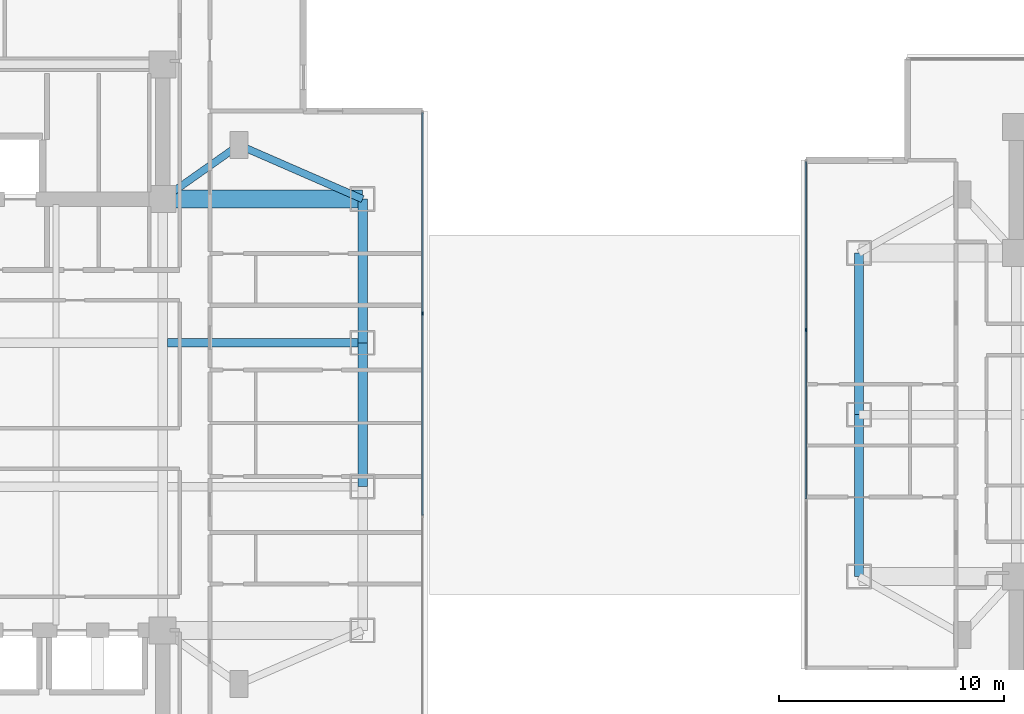
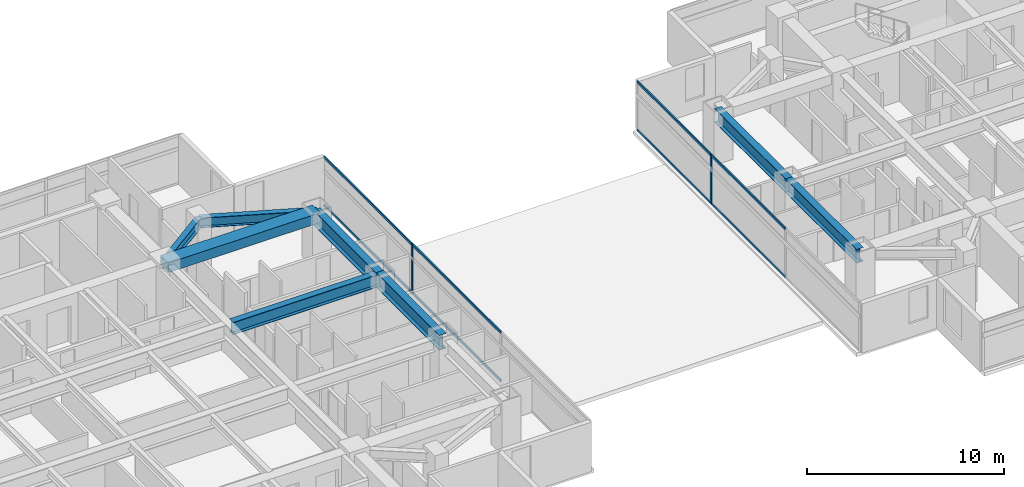
# One storey, part 5 of 26: 10 members, 8 beams, 2 elements without a shape of their own.
"""IFC4 building model written with IfcOpenShell, lengths in metres."""

from ifc_helpers import new_model, si_unit, direction, frame, origin, origin_2d, place, context, subcontext, project, spatial, rectangle, i_section, extrude, material, material_profile, profile_set, type_object, element, aggregate, save


model = new_model("IFC4")

# Units and contexts
model_context = context("Model", 3, precision=1e-05, world=origin(), true_north=direction((0.0, 1.0)))
body_context = subcontext(model_context, "Body", "Model", "MODEL_VIEW")
ifc_project = project(units=[si_unit("LENGTHUNIT", "METRE"), si_unit("AREAUNIT", "SQUARE_METRE"), si_unit("VOLUMEUNIT", "CUBIC_METRE"), si_unit("PLANEANGLEUNIT", "RADIAN"), si_unit("MASSUNIT", "GRAM", prefix="KILO")], contexts=[model_context])

# Site, building, storey
site_placement = place(None, origin())
site = spatial("IfcSite", under=ifc_project, at=site_placement, CompositionType="ELEMENT")
building_placement = place(site_placement, origin())
building = spatial("IfcBuilding", under=site, at=building_placement, Name="Mirazonda Arch Towers", CompositionType="ELEMENT")
storey_placement = place(building_placement, frame((0.0, 0.0, 98.300048828125)))
storey = spatial("IfcBuildingStorey", under=building, at=storey_placement, Name="L27", CompositionType="ELEMENT", Elevation=98.300048828125)

# Beams
ifc_material_1 = material(Name="Steel ASTM A992 Grade 50", Category="steel")
ifc_material_profile_1 = material_profile(ifc_material_1, i_section(OverallWidth=0.39990234375, OverallDepth=0.85595703125, WebThickness=0.018310546875, FlangeThickness=0.029296875, at=origin_2d()), Name="W33X201")
ifc_profile_set_1 = profile_set([ifc_material_profile_1], Name="Steel ASTM A992 Grade 50")
beam_type_1 = type_object("IfcBeamType", Name="BM-EXT-W33X201", PredefinedType="USERDEFINED", material=ifc_profile_set_1)
for number, where, z_axis, x_axis, name in (
    (1, (61.0, 20.800048828125, 2.65185546875), (0.0, 1.0, 0.0), (-1.0, 0.0, 0.0), "L27 Floor Beam BM-T2-L27-NS-W-20"),
    (2, (61.0, 28.0, 2.65185546875), (0.0, 1.0, 0.0), (-1.0, 0.0, 0.0), "L27 Floor Beam BM-T2-L27-NS-W-28"),
):
    element("IfcBeam", number, at=place(storey_placement, frame(where, z_axis=z_axis, x_axis=x_axis)), inside=storey, type_object=beam_type_1, Name=name, ObjectType="GIRDER", PredefinedType="USERDEFINED", context=body_context, shape_type="SweptSolid", body=[
        extrude(i_section(OverallWidth=0.39990234375, OverallDepth=0.85595703125, WebThickness=0.018310546875, FlangeThickness=0.029296875, at=origin_2d()), origin(), (0.0, 0.0, 1.0), 7.199951171875),
    ])
ifc_material_profile_2 = material_profile(ifc_material_1, i_section(OverallWidth=0.41796875, OverallDepth=0.927001953125, WebThickness=0.019287109375, FlangeThickness=0.031982421875, at=origin_2d()), Name="W36X231")
ifc_profile_set_2 = profile_set([ifc_material_profile_2], Name="Steel ASTM A992 Grade 50")
beam_type_2 = type_object("IfcBeamType", Name="BM-EXT-W36X231", PredefinedType="USERDEFINED", material=ifc_profile_set_2)
beam_1_placement = place(storey_placement, frame((38.89990234375, 24.800048828125, 2.616455078125), z_axis=(0.0, 1.0, 0.0), x_axis=(-1.0, 0.0, 0.0)))
element("IfcBeam", 3, at=beam_1_placement, inside=storey, type_object=beam_type_2, Name="L27 Floor Beam BM-T1-L27-NS-E-24", ObjectType="GIRDER", PredefinedType="USERDEFINED", context=body_context, shape_type="SweptSolid", body=[
    extrude(i_section(OverallWidth=0.41796875, OverallDepth=0.927001953125, WebThickness=0.019287109375, FlangeThickness=0.031982421875, at=origin_2d()), origin(), (0.0, 0.0, 1.0), 6.39990234375),
])
beam_2_placement = place(storey_placement, frame((38.89990234375, 31.199951171875, 2.616455078125), z_axis=(0.0, 1.0, 0.0), x_axis=(-1.0, 0.0, 0.0)))
element("IfcBeam", 4, at=beam_2_placement, inside=storey, type_object=beam_type_2, Name="L27 Floor Beam BM-T1-L27-NS-E-31", ObjectType="GIRDER", PredefinedType="USERDEFINED", context=body_context, shape_type="SweptSolid", body=[
    extrude(i_section(OverallWidth=0.41796875, OverallDepth=0.927001953125, WebThickness=0.019287109375, FlangeThickness=0.031982421875, at=origin_2d()), origin(), (0.0, 0.0, 1.0), 6.400146484375),
])
ifc_material_profile_3 = material_profile(ifc_material_1, i_section(OverallWidth=0.324951171875, OverallDepth=0.615966796875, WebThickness=0.013916015625, FlangeThickness=0.021484375, at=origin_2d()), Name="W24X117")
ifc_profile_set_3 = profile_set([ifc_material_profile_3], Name="Steel ASTM A992 Grade 50")
beam_type_3 = type_object("IfcBeamType", Name="BM-INT-W24X117", PredefinedType="BEAM", material=ifc_profile_set_3)
beam_3_placement = place(storey_placement, frame((33.39990234375, 40.0, 2.77197265625), z_axis=(-0.816971114901, -0.576678591087, 0.0), x_axis=(0.576678591087, -0.816971114901, 0.0)))
element("IfcBeam", 5, at=beam_3_placement, inside=storey, type_object=beam_type_3, Name="L27 Floor Beam BM-T1-L27-PL-NE1", PredefinedType="BEAM", context=body_context, shape_type="SweptSolid", body=[
    extrude(i_section(OverallWidth=0.324951171875, OverallDepth=0.615966796875, WebThickness=0.013916015625, FlangeThickness=0.021484375, at=origin_2d()), origin(), (0.0, 0.0, 1.0), 4.16162109375),
])
beam_4_placement = place(storey_placement, frame((33.39990234375, 40.0, 2.77197265625), z_axis=(0.916545343703, -0.399930785183, 0.0), x_axis=(0.399930785183, 0.916545343703, 0.0)))
element("IfcBeam", 6, at=beam_4_placement, inside=storey, type_object=beam_type_3, Name="L27 Floor Beam BM-T1-L27-PL-NE2", PredefinedType="BEAM", context=body_context, shape_type="SweptSolid", body=[
    extrude(i_section(OverallWidth=0.324951171875, OverallDepth=0.615966796875, WebThickness=0.013916015625, FlangeThickness=0.021484375, at=origin_2d()), origin(), (0.0, 0.0, 1.0), 6.000732421875),
])
ifc_material_profile_4 = material_profile(ifc_material_1, i_section(OverallWidth=0.381103515625, OverallDepth=0.77294921875, WebThickness=0.0166015625, FlangeThickness=0.027099609375, at=origin_2d()), Name="W30X173")
ifc_profile_set_4 = profile_set([ifc_material_profile_4], Name="Steel ASTM A992 Grade 50")
beam_type_4 = type_object("IfcBeamType", Name="BM-INT-W30X173", PredefinedType="USERDEFINED", material=ifc_profile_set_4)
beam_5_placement = place(storey_placement, frame((30.21142578125, 31.199951171875, 2.693359375), z_axis=(1.0, 0.0, 0.0), x_axis=(0.0, 1.0, 0.0)))
element("IfcBeam", 7, at=beam_5_placement, inside=storey, type_object=beam_type_4, Name="L27 Floor Beam BM-T1-L27-GE3", ObjectType="GIRDER", PredefinedType="USERDEFINED", context=body_context, shape_type="SweptSolid", body=[
    extrude(i_section(OverallWidth=0.381103515625, OverallDepth=0.77294921875, WebThickness=0.0166015625, FlangeThickness=0.027099609375, at=origin_2d()), origin(), (0.0, 0.0, 1.0), 8.6884765625),
])
ifc_material_2 = material(Name="Concrete C60/75", Category="concrete")
ifc_material_profile_5 = material_profile(ifc_material_2, rectangle(XDim=0.800048828125, YDim=0.60009765625, at=origin_2d()), Name="RCCB800x600")
ifc_profile_set_5 = profile_set([ifc_material_profile_5], Name="Concrete C60/75")
beam_type_5 = type_object("IfcBeamType", Name="CB-INT-RCCB800x600", PredefinedType="SPANDREL", material=ifc_profile_set_5)
beam_6_placement = place(storey_placement, frame((30.0, 37.60009765625, 2.780029296875), z_axis=(1.0, 0.0, 0.0), x_axis=(0.0, 1.0, 0.0)))
element("IfcBeam", 8, at=beam_6_placement, inside=storey, type_object=beam_type_5, Name="L27 Floor Beam CBC-T1-L27-NE", PredefinedType="SPANDREL", context=body_context, shape_type="SweptSolid", body=[
    extrude(rectangle(XDim=0.800048828125, YDim=0.60009765625, at=origin_2d()), origin(), (0.0, 0.0, 1.0), 8.89990234375),
])

# Curtain wall, member
ifc_material_3 = material(Name="Anodised Aluminium and Low-E Glass", Category="aluminium")
curtain_wall_type = type_object("IfcCurtainWallType", Name="CW-HTL-UNIT", PredefinedType="NOTDEFINED", material=ifc_material_3)
curtain_wall_1_placement = place(storey_placement, origin())
curtain_wall_1 = element("IfcCurtainWall", 9, at=curtain_wall_1_placement, inside=storey, type_object=curtain_wall_type, Name="L27 T1 E Facade CW-L27-T1-E", PredefinedType="NOTDEFINED")
ifc_material_4 = material(Name="Anodised Aluminium Alloy", Category="aluminium")
ifc_material_profile_6 = material_profile(ifc_material_4, rectangle(XDim=0.074951171875, YDim=0.1650390625, at=origin_2d()), Name="ALU-MULL-75x165")
ifc_profile_set_6 = profile_set([ifc_material_profile_6], Name="Anodised Aluminium Alloy")
member_type_1 = type_object("IfcMemberType", Name="MULL-CW-HTL-UNIT", PredefinedType="MULLION", material=ifc_profile_set_6)
member_1_placement = place(storey_placement, frame((41.570068359375, 32.50634765625, 0.0), z_axis=(0.0, 0.0, 1.0), x_axis=(-1.0, 0.0, 0.0)))
member_1 = element("IfcMember", 10, at=member_1_placement, type_object=member_type_1, Name="CW-112 mullion 3", PredefinedType="MULLION", context=body_context, shape_type="SweptSolid", body=[
    extrude(rectangle(XDim=0.074951171875, YDim=0.1650390625, at=origin_2d()), origin(), (0.0, 0.0, 1.0), 3.06005859375),
])

curtain_wall_2_placement = place(storey_placement, origin())
curtain_wall_2 = element("IfcCurtainWall", 11, at=curtain_wall_2_placement, inside=storey, type_object=curtain_wall_type, Name="L27 T2 W Facade CW-L27-T2-W", PredefinedType="NOTDEFINED")
member_2_placement = place(storey_placement, frame((58.6435546875, 31.777099609375, 0.0), z_axis=(0.0, 0.0, 1.0), x_axis=(1.0, 0.0, 0.0)))
member_2 = element("IfcMember", 12, at=member_2_placement, type_object=member_type_1, Name="CW-112 mullion 2", PredefinedType="MULLION", context=body_context, shape_type="SweptSolid", body=[
    extrude(rectangle(XDim=0.074951171875, YDim=0.1650390625, at=origin_2d()), origin(), (0.0, 0.0, 1.0), 3.06005859375),
])

# Member
ifc_material_profile_7 = material_profile(ifc_material_4, rectangle(XDim=0.074951171875, YDim=0.14501953125, at=origin_2d()), Name="ALU-TRAN-75x145")
ifc_profile_set_7 = profile_set([ifc_material_profile_7], Name="Anodised Aluminium Alloy")
member_type_2 = type_object("IfcMemberType", Name="TRAN-CW-HTL-UNIT", PredefinedType="USERDEFINED", material=ifc_profile_set_7)
member_3_placement = place(storey_placement, frame((41.570068359375, 23.53125, 0.037353515625), z_axis=(0.0, 1.0, 0.0), x_axis=(-1.0, 0.0, 0.0)))
member_3 = element("IfcMember", 13, at=member_3_placement, type_object=member_type_2, Name="CW-112 transom 2.1", ObjectType="TRANSOM", PredefinedType="USERDEFINED", context=body_context, shape_type="SweptSolid", body=[
    extrude(rectangle(XDim=0.074951171875, YDim=0.14501953125, at=origin_2d()), origin(), (0.0, 0.0, 1.0), 8.9375),
])

member_4_placement = place(storey_placement, frame((41.570068359375, 23.53125, 3.0224609375), z_axis=(0.0, 1.0, 0.0), x_axis=(-1.0, 0.0, 0.0)))
member_4 = element("IfcMember", 14, at=member_4_placement, type_object=member_type_2, Name="CW-112 transom 2.2", ObjectType="TRANSOM", PredefinedType="USERDEFINED", context=body_context, shape_type="SweptSolid", body=[
    extrude(rectangle(XDim=0.074951171875, YDim=0.14501953125, at=origin_2d()), origin(), (0.0, 0.0, 1.0), 8.9375),
])

member_5_placement = place(storey_placement, frame((41.570068359375, 32.5439453125, 0.037353515625), z_axis=(0.0, 1.0, 0.0), x_axis=(-1.0, 0.0, 0.0)))
member_5 = element("IfcMember", 15, at=member_5_placement, type_object=member_type_2, Name="CW-112 transom 3.1", ObjectType="TRANSOM", PredefinedType="USERDEFINED", context=body_context, shape_type="SweptSolid", body=[
    extrude(rectangle(XDim=0.074951171875, YDim=0.14501953125, at=origin_2d()), origin(), (0.0, 0.0, 1.0), 8.900146484375),
])

member_6_placement = place(storey_placement, frame((41.570068359375, 32.5439453125, 3.0224609375), z_axis=(0.0, 1.0, 0.0), x_axis=(-1.0, 0.0, 0.0)))
member_6 = element("IfcMember", 16, at=member_6_placement, type_object=member_type_2, Name="CW-112 transom 3.2", ObjectType="TRANSOM", PredefinedType="USERDEFINED", context=body_context, shape_type="SweptSolid", body=[
    extrude(rectangle(XDim=0.074951171875, YDim=0.14501953125, at=origin_2d()), origin(), (0.0, 0.0, 1.0), 8.900146484375),
])

aggregate(curtain_wall_1, [member_1, member_3, member_4, member_5, member_6])

member_7_placement = place(storey_placement, frame((58.6435546875, 39.256103515625, 0.037353515625), z_axis=(0.0, -1.0, 0.0), x_axis=(1.0, 0.0, 0.0)))
member_7 = element("IfcMember", 17, at=member_7_placement, type_object=member_type_2, Name="CW-112 transom 1.1", ObjectType="TRANSOM", PredefinedType="USERDEFINED", context=body_context, shape_type="SweptSolid", body=[
    extrude(rectangle(XDim=0.074951171875, YDim=0.14501953125, at=origin_2d()), origin(), (0.0, 0.0, 1.0), 7.441650390625),
])

member_8_placement = place(storey_placement, frame((58.6435546875, 39.256103515625, 3.0224609375), z_axis=(0.0, -1.0, 0.0), x_axis=(1.0, 0.0, 0.0)))
member_8 = element("IfcMember", 18, at=member_8_placement, type_object=member_type_2, Name="CW-112 transom 1.2", ObjectType="TRANSOM", PredefinedType="USERDEFINED", context=body_context, shape_type="SweptSolid", body=[
    extrude(rectangle(XDim=0.074951171875, YDim=0.14501953125, at=origin_2d()), origin(), (0.0, 0.0, 1.0), 7.441650390625),
])

member_9_placement = place(storey_placement, frame((58.6435546875, 31.739501953125, 0.037353515625), z_axis=(0.0, -1.0, 0.0), x_axis=(1.0, 0.0, 0.0)))
member_9 = element("IfcMember", 19, at=member_9_placement, type_object=member_type_2, Name="CW-112 transom 2.1", ObjectType="TRANSOM", PredefinedType="USERDEFINED", context=body_context, shape_type="SweptSolid", body=[
    extrude(rectangle(XDim=0.074951171875, YDim=0.14501953125, at=origin_2d()), origin(), (0.0, 0.0, 1.0), 7.47900390625),
])

member_10_placement = place(storey_placement, frame((58.6435546875, 31.739501953125, 3.0224609375), z_axis=(0.0, -1.0, 0.0), x_axis=(1.0, 0.0, 0.0)))
member_10 = element("IfcMember", 20, at=member_10_placement, type_object=member_type_2, Name="CW-112 transom 2.2", ObjectType="TRANSOM", PredefinedType="USERDEFINED", context=body_context, shape_type="SweptSolid", body=[
    extrude(rectangle(XDim=0.074951171875, YDim=0.14501953125, at=origin_2d()), origin(), (0.0, 0.0, 1.0), 7.47900390625),
])

aggregate(curtain_wall_2, [member_2, member_7, member_8, member_9, member_10])

save(model, "model.ifc")
